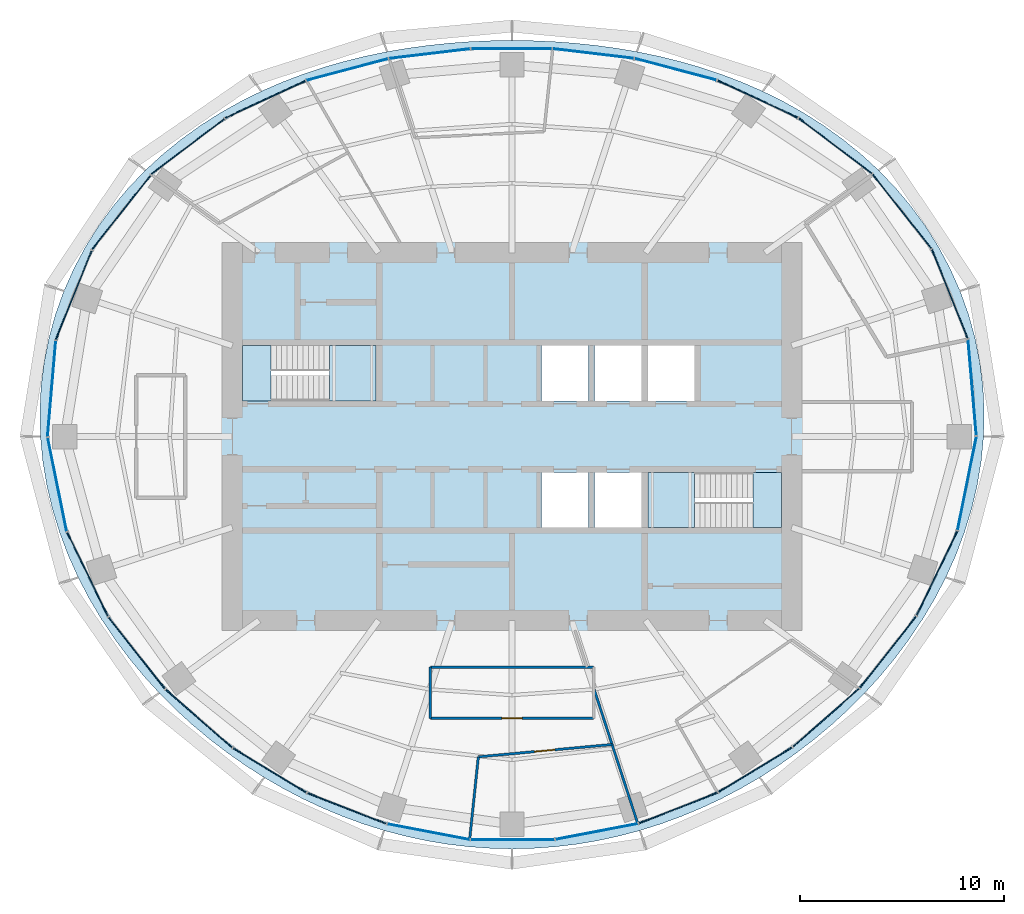
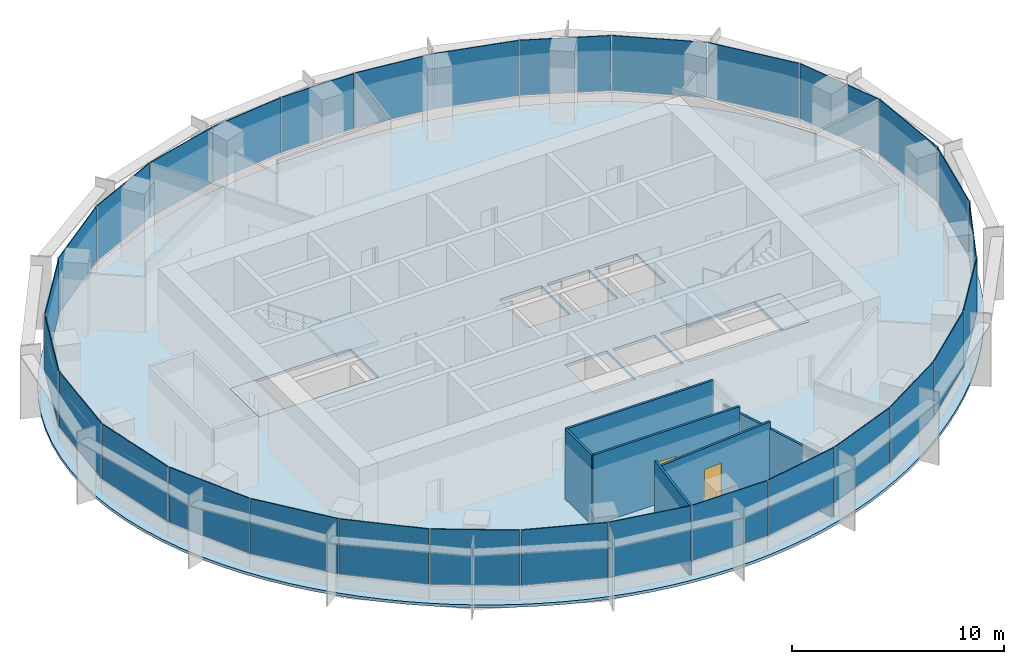
# One storey, part 8 of 13: 30 plates, 6 walls, 5 slabs, 2 doors, 2 openings, 8 elements without a shape of their own.
"""IFC4 building model written with IfcOpenShell, lengths in metres."""

from ifc_helpers import new_model, si_unit, direction, frame, frame_2d, origin, origin_2d, place, context, subcontext, project, spatial, polyline, rectangle, outline, extrude, material, layer, layer_set, type_object, element, fill, aggregate, save


model = new_model("IFC4")

# Units and contexts
model_context = context("Model", 3, precision=1e-05, world=origin(), true_north=direction((0.0, 1.0)))
body_context = subcontext(model_context, "Body", "Model", "MODEL_VIEW")
ifc_project = project(units=[si_unit("LENGTHUNIT", "METRE"), si_unit("AREAUNIT", "SQUARE_METRE"), si_unit("VOLUMEUNIT", "CUBIC_METRE"), si_unit("PLANEANGLEUNIT", "RADIAN"), si_unit("MASSUNIT", "GRAM", prefix="KILO")], contexts=[model_context])

# Site, building, storey
site_placement = place(None, origin())
site = spatial("IfcSite", under=ifc_project, at=site_placement, CompositionType="ELEMENT")
building_placement = place(site_placement, origin())
building = spatial("IfcBuilding", under=site, at=building_placement, Name="Marramba Exchange Tower", CompositionType="ELEMENT")
storey_placement = place(building_placement, frame((0.0, 0.0, 256.0)))
storey = spatial("IfcBuildingStorey", under=building, at=storey_placement, Name="L62", CompositionType="ELEMENT", Elevation=256.0)

# Slab
ifc_material_1 = material(Name="Concrete N40", Category="concrete")
ifc_layer_1 = layer(ifc_material_1, 0.159912109375)
ifc_layer_set_1 = layer_set([ifc_layer_1], Name="Composite floor slab 160")
slab_type_1 = type_object("IfcSlabType", Name="Composite floor slab 160", PredefinedType="FLOOR", material=ifc_layer_set_1)
slab_1_placement = place(storey_placement, frame((0.0, 0.0, -0.159912109375)))
element("IfcSlab", 1, at=slab_1_placement, inside=storey, type_object=slab_type_1, Name="Floor slab L62", PredefinedType="FLOOR", context=body_context, shape_type="SweptSolid", body=[
    extrude(outline(polyline([(23.10009765625, 0.0), (23.129150390625, 1.212158203125), (23.070068359375, 2.4248046875), (22.921630859375, 3.63037109375), (22.6845703125, 4.82177734375), (22.359619140625, 5.9912109375), (21.94970703125, 7.1318359375), (21.4580078125, 8.237060546875), (20.889404296875, 9.300537109375), (20.248779296875, 10.3173828125), (19.542236328125, 11.28271484375), (18.77587890625, 12.193359375), (17.95654296875, 13.046142578125), (17.090576171875, 13.83984375), (16.18505859375, 14.572998046875), (15.245849609375, 15.245849609375), (14.279541015625, 15.85888671875), (13.291259765625, 16.413330078125), (12.28662109375, 16.9111328125), (11.270263671875, 17.3544921875), (10.24560546875, 17.745849609375), (9.21630859375, 18.088134765625), (8.185302734375, 18.38427734375), (7.154296875, 18.63720703125), (6.124755859375, 18.849853515625), (5.09765625, 19.024658203125), (4.073486328125, 19.1640625), (3.05224609375, 19.2705078125), (2.033203125, 19.344970703125), (1.01611328125, 19.389404296875), (0.0, 19.404052734375), (-1.01611328125, 19.389404296875), (-2.033203125, 19.344970703125), (-3.05224609375, 19.2705078125), (-4.073486328125, 19.1640625), (-5.09765625, 19.024658203125), (-6.124755859375, 18.849853515625), (-7.154296875, 18.63720703125), (-8.185302734375, 18.38427734375), (-9.21630859375, 18.088134765625), (-10.24560546875, 17.745849609375), (-11.270263671875, 17.3544921875), (-12.28662109375, 16.9111328125), (-13.291259765625, 16.413330078125), (-14.279541015625, 15.85888671875), (-15.245849609375, 15.245849609375), (-16.18505859375, 14.572998046875), (-17.090576171875, 13.83984375), (-17.95654296875, 13.046142578125), (-18.77587890625, 12.193359375), (-19.542236328125, 11.28271484375), (-20.248779296875, 10.3173828125), (-20.889404296875, 9.300537109375), (-21.4580078125, 8.237060546875), (-21.94970703125, 7.1318359375), (-22.359619140625, 5.9912109375), (-22.6845703125, 4.82177734375), (-22.921630859375, 3.63037109375), (-23.070068359375, 2.4248046875), (-23.129150390625, 1.212158203125), (-23.10009765625, 0.0), (-22.98486328125, -1.20458984375), (-22.78662109375, -2.39501953125), (-22.50927734375, -3.565185546875), (-22.1572265625, -4.709716796875), (-21.736083984375, -5.82421875), (-21.250732421875, -6.90478515625), (-20.706787109375, -7.948486328125), (-20.109619140625, -8.953369140625), (-19.46435546875, -9.91748046875), (-18.77587890625, -10.84033203125), (-18.048583984375, -11.720947265625), (-17.2861328125, -12.55908203125), (-16.4921875, -13.355224609375), (-15.669677734375, -14.10888671875), (-14.820556640625, -14.820556640625), (-13.947509765625, -15.490478515625), (-13.05224609375, -16.1181640625), (-12.1357421875, -16.703369140625), (-11.199951171875, -17.246337890625), (-10.24560546875, -17.745849609375), (-9.274169921875, -18.20166015625), (-8.287109375, -18.613037109375), (-7.285400390625, -18.978759765625), (-6.2705078125, -19.29833984375), (-5.243896484375, -19.570556640625), (-4.20751953125, -19.79443359375), (-3.162841796875, -19.9697265625), (-2.112060546875, -20.09521484375), (-1.05712890625, -20.1708984375), (0.0, -20.196044921875), (1.05712890625, -20.1708984375), (2.112060546875, -20.09521484375), (3.162841796875, -19.9697265625), (4.20751953125, -19.79443359375), (5.243896484375, -19.570556640625), (6.2705078125, -19.29833984375), (7.285400390625, -18.978759765625), (8.287109375, -18.613037109375), (9.274169921875, -18.20166015625), (10.24560546875, -17.745849609375), (11.199951171875, -17.246337890625), (12.1357421875, -16.703369140625), (13.05224609375, -16.1181640625), (13.947509765625, -15.490478515625), (14.820556640625, -14.820556640625), (15.669677734375, -14.10888671875), (16.4921875, -13.355224609375), (17.2861328125, -12.55908203125), (18.048583984375, -11.720947265625), (18.77587890625, -10.84033203125), (19.46435546875, -9.91748046875), (20.109619140625, -8.953369140625), (20.706787109375, -7.948486328125), (21.250732421875, -6.90478515625), (21.736083984375, -5.82421875), (22.1572265625, -4.709716796875), (22.50927734375, -3.565185546875), (22.78662109375, -2.39501953125), (22.98486328125, -1.20458984375), (23.10009765625, 0.0)]), holes=[polyline([(1.449951171875, 1.75), (3.75, 1.75), (3.75, 4.449951171875), (1.449951171875, 4.449951171875), (1.449951171875, 1.75)]), polyline([(4.050048828125, 1.75), (6.35009765625, 1.75), (6.35009765625, 4.449951171875), (4.050048828125, 4.449951171875), (4.050048828125, 1.75)]), polyline([(1.449951171875, -4.449951171875), (3.75, -4.449951171875), (3.75, -1.75), (1.449951171875, -1.75), (1.449951171875, -4.449951171875)]), polyline([(4.050048828125, -4.449951171875), (6.35009765625, -4.449951171875), (6.35009765625, -1.75), (4.050048828125, -1.75), (4.050048828125, -4.449951171875)]), polyline([(6.64990234375, 1.75), (8.949951171875, 1.75), (8.949951171875, 4.449951171875), (6.64990234375, 4.449951171875), (6.64990234375, 1.75)]), polyline([(-13.199951171875, 1.75), (-6.64990234375, 1.75), (-6.64990234375, 4.449951171875), (-13.199951171875, 4.449951171875), (-13.199951171875, 1.75)]), polyline([(6.64990234375, -4.449951171875), (13.199951171875, -4.449951171875), (13.199951171875, -1.75), (6.64990234375, -1.75), (6.64990234375, -4.449951171875)])]), origin(), (0.0, 0.0, 1.0), 0.159912109375),
])

# Curtain wall, plates
ifc_material_2 = material(Name="Aluminium framing, bronze anodised", Category="aluminium")
curtain_wall_type = type_object("IfcCurtainWallType", Name="Executive floor ribbon curtain wall", PredefinedType="USERDEFINED", material=ifc_material_2)
curtain_wall_1_placement = place(storey_placement, origin())
curtain_wall_1 = element("IfcCurtainWall", 2, at=curtain_wall_1_placement, inside=storey, type_object=curtain_wall_type, Name="Curtain wall CW5 L62 F01-F05", ObjectType="RIBBON CURTAIN WALL", PredefinedType="USERDEFINED")
ifc_material_3 = material(Name="Laminated double glazed unit 13.52 + 20 + 13.52, bronze tinted, acoustic interlayer", Category="glass")
ifc_layer_2 = layer(ifc_material_3, 0.047119140625)
ifc_layer_set_2 = layer_set([ifc_layer_2], Name="Executive floor ribbon curtain wall panel")
plate_type = type_object("IfcPlateType", Name="Executive floor ribbon curtain wall panel", PredefinedType="CURTAIN_PANEL", material=ifc_layer_set_2)
plate_1_placement = place(storey_placement, frame((22.54345703125, 2.404296875, 0.85986328125), z_axis=(0.0, 0.0, 1.0), x_axis=(-0.085574009881, 0.996331816632, 0.0)))
plate_1 = element("IfcPlate", 3, at=plate_1_placement, type_object=plate_type, Name="CW5 vision panel", PredefinedType="CURTAIN_PANEL", context=body_context, shape_type="SweptSolid", body=[
    extrude(rectangle(XDim=4.70654296875, YDim=0.047119140625, at=origin_2d()), origin(), (0.0, 0.0, 1.0), 3.179931640625),
])
plate_2_placement = place(storey_placement, frame((21.444580078125, 6.9814453125, 0.85986328125), z_axis=(0.0, 0.0, 1.0), x_axis=(-0.372983090774, 0.927838139977, 0.0)))
plate_2 = element("IfcPlate", 4, at=plate_2_placement, type_object=plate_type, Name="CW5 vision panel", PredefinedType="CURTAIN_PANEL", context=body_context, shape_type="SweptSolid", body=[
    extrude(rectangle(XDim=4.692138671875, YDim=0.047119140625, at=origin_2d()), origin(), (0.0, 0.0, 1.0), 3.179931640625),
])
plate_3_placement = place(storey_placement, frame((19.10302734375, 11.02294921875, 0.85986328125), z_axis=(0.0, 0.0, 1.0), x_axis=(-0.618222857512, 0.786002861604, 0.0)))
plate_3 = element("IfcPlate", 5, at=plate_3_placement, type_object=plate_type, Name="CW5 vision panel", PredefinedType="CURTAIN_PANEL", context=body_context, shape_type="SweptSolid", body=[
    extrude(rectangle(XDim=4.624755859375, YDim=0.047119140625, at=origin_2d()), origin(), (0.0, 0.0, 1.0), 3.179931640625),
])
plate_4_placement = place(storey_placement, frame((15.83544921875, 14.23779296875, 0.85986328125), z_axis=(0.0, 0.0, 1.0), x_axis=(-0.796058900199, 0.605219156516, 0.0)))
plate_4 = element("IfcPlate", 6, at=plate_4_placement, type_object=plate_type, Name="CW5 vision panel", PredefinedType="CURTAIN_PANEL", context=body_context, shape_type="SweptSolid", body=[
    extrude(rectangle(XDim=4.49755859375, YDim=0.047119140625, at=origin_2d()), origin(), (0.0, 0.0, 1.0), 3.179931640625),
])
plate_5_placement = place(storey_placement, frame((12.03076171875, 16.533447265625, 0.85986328125), z_axis=(0.0, 0.0, 1.0), x_axis=(-0.90713057934, 0.420849274712, 0.0)))
plate_5 = element("IfcPlate", 7, at=plate_5_placement, type_object=plate_type, Name="CW5 vision panel", PredefinedType="CURTAIN_PANEL", context=body_context, shape_type="SweptSolid", body=[
    extrude(rectangle(XDim=4.321533203125, YDim=0.047119140625, at=origin_2d()), origin(), (0.0, 0.0, 1.0), 3.179931640625),
])
aggregate(curtain_wall_1, [plate_1, plate_2, plate_3, plate_4, plate_5])

curtain_wall_2_placement = place(storey_placement, origin())
curtain_wall_2 = element("IfcCurtainWall", 8, at=curtain_wall_2_placement, inside=storey, type_object=curtain_wall_type, Name="Curtain wall CW5 L62 F06-F10", ObjectType="RIBBON CURTAIN WALL", PredefinedType="USERDEFINED")
plate_6_placement = place(storey_placement, frame((8.0146484375, 17.987548828125, 0.85986328125), z_axis=(0.0, 0.0, 1.0), x_axis=(-0.966643517501, 0.256125574813, 0.0)))
plate_6 = element("IfcPlate", 9, at=plate_6_placement, type_object=plate_type, Name="CW5 vision panel", PredefinedType="CURTAIN_PANEL", context=body_context, shape_type="SweptSolid", body=[
    extrude(rectangle(XDim=4.134033203125, YDim=0.047119140625, at=origin_2d()), origin(), (0.0, 0.0, 1.0), 3.179931640625),
])
plate_7_placement = place(storey_placement, frame((3.976806640625, 18.760498046875, 0.85986328125), z_axis=(0.0, 0.0, 1.0), x_axis=(-0.992947253654, 0.118556954505, 0.0)))
plate_7 = element("IfcPlate", 10, at=plate_7_placement, type_object=plate_type, Name="CW5 vision panel", PredefinedType="CURTAIN_PANEL", context=body_context, shape_type="SweptSolid", body=[
    extrude(rectangle(XDim=3.988525390625, YDim=0.047119140625, at=origin_2d()), origin(), (0.0, 0.0, 1.0), 3.179931640625),
])
plate_8_placement = place(storey_placement, frame((-0.030029296875, 18.9970703125, 0.85986328125), z_axis=(0.0, 0.0, 1.0), x_axis=(-1.0, 0.0, 0.0)))
plate_8 = element("IfcPlate", 11, at=plate_8_placement, type_object=plate_type, Name="CW5 vision panel", PredefinedType="CURTAIN_PANEL", context=body_context, shape_type="SweptSolid", body=[
    extrude(rectangle(XDim=3.933349609375, YDim=0.047119140625, at=origin_2d()), origin(), (0.0, 0.0, 1.0), 3.179931640625),
])
plate_9_placement = place(storey_placement, frame((-4.036376953125, 18.75341796875, 0.85986328125), z_axis=(0.0, 0.0, 1.0), x_axis=(-0.992947253654, -0.118556954505, 0.0)))
plate_9 = element("IfcPlate", 12, at=plate_9_placement, type_object=plate_type, Name="CW5 vision panel", PredefinedType="CURTAIN_PANEL", context=body_context, shape_type="SweptSolid", body=[
    extrude(rectangle(XDim=3.988525390625, YDim=0.047119140625, at=origin_2d()), origin(), (0.0, 0.0, 1.0), 3.179931640625),
])
plate_10_placement = place(storey_placement, frame((-8.072509765625, 17.97216796875, 0.85986328125), z_axis=(0.0, 0.0, 1.0), x_axis=(-0.966643517501, -0.256125574813, 0.0)))
plate_10 = element("IfcPlate", 13, at=plate_10_placement, type_object=plate_type, Name="CW5 vision panel", PredefinedType="CURTAIN_PANEL", context=body_context, shape_type="SweptSolid", body=[
    extrude(rectangle(XDim=4.134033203125, YDim=0.047119140625, at=origin_2d()), origin(), (0.0, 0.0, 1.0), 3.179931640625),
])
aggregate(curtain_wall_2, [plate_6, plate_7, plate_8, plate_9, plate_10])

curtain_wall_3_placement = place(storey_placement, origin())
curtain_wall_3 = element("IfcCurtainWall", 14, at=curtain_wall_3_placement, inside=storey, type_object=curtain_wall_type, Name="Curtain wall CW5 L62 F11-F15", ObjectType="RIBBON CURTAIN WALL", PredefinedType="USERDEFINED")
plate_11_placement = place(storey_placement, frame((-12.085205078125, 16.50830078125, 0.85986328125), z_axis=(0.0, 0.0, 1.0), x_axis=(-0.90713057934, -0.420849274712, 0.0)))
plate_11 = element("IfcPlate", 15, at=plate_11_placement, type_object=plate_type, Name="CW5 vision panel", PredefinedType="CURTAIN_PANEL", context=body_context, shape_type="SweptSolid", body=[
    extrude(rectangle(XDim=4.321533203125, YDim=0.047119140625, at=origin_2d()), origin(), (0.0, 0.0, 1.0), 3.179931640625),
])
plate_12_placement = place(storey_placement, frame((-15.88330078125, 14.201416015625, 0.85986328125), z_axis=(0.0, 0.0, 1.0), x_axis=(-0.796058900199, -0.605219156516, 0.0)))
plate_12 = element("IfcPlate", 16, at=plate_12_placement, type_object=plate_type, Name="CW5 vision panel", PredefinedType="CURTAIN_PANEL", context=body_context, shape_type="SweptSolid", body=[
    extrude(rectangle(XDim=4.49755859375, YDim=0.047119140625, at=origin_2d()), origin(), (0.0, 0.0, 1.0), 3.179931640625),
])
plate_13_placement = place(storey_placement, frame((-19.14013671875, 10.975830078125, 0.85986328125), z_axis=(0.0, 0.0, 1.0), x_axis=(-0.618222857512, -0.786002861604, 0.0)))
plate_13 = element("IfcPlate", 17, at=plate_13_placement, type_object=plate_type, Name="CW5 vision panel", PredefinedType="CURTAIN_PANEL", context=body_context, shape_type="SweptSolid", body=[
    extrude(rectangle(XDim=4.624755859375, YDim=0.047119140625, at=origin_2d()), origin(), (0.0, 0.0, 1.0), 3.179931640625),
])
plate_14_placement = place(storey_placement, frame((-21.467041015625, 6.92578125, 0.85986328125), z_axis=(0.0, 0.0, 1.0), x_axis=(-0.372983090774, -0.927838139977, 0.0)))
plate_14 = element("IfcPlate", 18, at=plate_14_placement, type_object=plate_type, Name="CW5 vision panel", PredefinedType="CURTAIN_PANEL", context=body_context, shape_type="SweptSolid", body=[
    extrude(rectangle(XDim=4.692138671875, YDim=0.047119140625, at=origin_2d()), origin(), (0.0, 0.0, 1.0), 3.179931640625),
])
plate_15_placement = place(storey_placement, frame((-22.548583984375, 2.344482421875, 0.85986328125), z_axis=(0.0, 0.0, 1.0), x_axis=(-0.085574009881, -0.996331816632, 0.0)))
plate_15 = element("IfcPlate", 19, at=plate_15_placement, type_object=plate_type, Name="CW5 vision panel", PredefinedType="CURTAIN_PANEL", context=body_context, shape_type="SweptSolid", body=[
    extrude(rectangle(XDim=4.70654296875, YDim=0.047119140625, at=origin_2d()), origin(), (0.0, 0.0, 1.0), 3.179931640625),
])
aggregate(curtain_wall_3, [plate_11, plate_12, plate_13, plate_14, plate_15])

curtain_wall_4_placement = place(storey_placement, origin())
curtain_wall_4 = element("IfcCurtainWall", 20, at=curtain_wall_4_placement, inside=storey, type_object=curtain_wall_type, Name="Curtain wall CW5 L62 F16-F20", ObjectType="RIBBON CURTAIN WALL", PredefinedType="USERDEFINED")
plate_16_placement = place(storey_placement, frame((-22.276611328125, -2.347900390625, 0.85986328125), z_axis=(0.0, 0.0, 1.0), x_axis=(0.19767053089, -0.980268514856, 0.0)))
plate_16 = element("IfcPlate", 21, at=plate_16_placement, type_object=plate_type, Name="CW5 vision panel", PredefinedType="CURTAIN_PANEL", context=body_context, shape_type="SweptSolid", body=[
    extrude(rectangle(XDim=4.670166015625, YDim=0.047119140625, at=origin_2d()), origin(), (0.0, 0.0, 1.0), 3.179931640625),
])
plate_17_placement = place(storey_placement, frame((-20.789306640625, -6.7509765625, 0.85986328125), z_axis=(0.0, 0.0, 1.0), x_axis=(0.436514585945, -0.89969718031, 0.0)))
plate_17 = element("IfcPlate", 22, at=plate_17_placement, type_object=plate_type, Name="CW5 vision panel", PredefinedType="CURTAIN_PANEL", context=body_context, shape_type="SweptSolid", body=[
    extrude(rectangle(XDim=4.579345703125, YDim=0.047119140625, at=origin_2d()), origin(), (0.0, 0.0, 1.0), 3.179931640625),
])
plate_18_placement = place(storey_placement, frame((-18.3779296875, -10.605712890625, 0.85986328125), z_axis=(0.0, 0.0, 1.0), x_axis=(0.618290634763, -0.78594954734, 0.0)))
plate_18 = element("IfcPlate", 23, at=plate_18_placement, type_object=plate_type, Name="CW5 vision panel", PredefinedType="CURTAIN_PANEL", context=body_context, shape_type="SweptSolid", body=[
    extrude(rectangle(XDim=4.447265625, YDim=0.047119140625, at=origin_2d()), origin(), (0.0, 0.0, 1.0), 3.179931640625),
])
plate_19_placement = place(storey_placement, frame((-15.335693359375, -13.8115234375, 0.85986328125), z_axis=(0.0, 0.0, 1.0), x_axis=(0.752751050569, -0.658305290779, 0.0)))
plate_19 = element("IfcPlate", 24, at=plate_19_placement, type_object=plate_type, Name="CW5 vision panel", PredefinedType="CURTAIN_PANEL", context=body_context, shape_type="SweptSolid", body=[
    extrude(rectangle(XDim=4.31005859375, YDim=0.047119140625, at=origin_2d()), origin(), (0.0, 0.0, 1.0), 3.179931640625),
])
plate_20_placement = place(storey_placement, frame((-11.866455078125, -16.35205078125, 0.85986328125), z_axis=(0.0, 0.0, 1.0), x_axis=(0.854704329539, -0.519115121209, 0.0)))
plate_20 = element("IfcPlate", 25, at=plate_20_placement, type_object=plate_type, Name="CW5 vision panel", PredefinedType="CURTAIN_PANEL", context=body_context, shape_type="SweptSolid", body=[
    extrude(rectangle(XDim=4.2021484375, YDim=0.047119140625, at=origin_2d()), origin(), (0.0, 0.0, 1.0), 3.179931640625),
])
aggregate(curtain_wall_4, [plate_16, plate_17, plate_18, plate_19, plate_20])

curtain_wall_5_placement = place(storey_placement, origin())
curtain_wall_5 = element("IfcCurtainWall", 26, at=curtain_wall_5_placement, inside=storey, type_object=curtain_wall_type, Name="Curtain wall CW5 L62 F21-F25", ObjectType="RIBBON CURTAIN WALL", PredefinedType="USERDEFINED")
plate_21_placement = place(storey_placement, frame((-8.08837890625, -18.215087890625, 0.85986328125), z_axis=(0.0, 0.0, 1.0), x_axis=(0.931785137859, -0.363010271018, 0.0)))
plate_21 = element("IfcPlate", 27, at=plate_21_placement, type_object=plate_type, Name="CW5 vision panel", PredefinedType="CURTAIN_PANEL", context=body_context, shape_type="SweptSolid", body=[
    extrude(rectangle(XDim=4.134521484375, YDim=0.047119140625, at=origin_2d()), origin(), (0.0, 0.0, 1.0), 3.179931640625),
])
plate_22_placement = place(storey_placement, frame((-4.08935546875, -19.36181640625, 0.85986328125), z_axis=(0.0, 0.0, 1.0), x_axis=(0.982193291127, -0.187873198899, 0.0)))
plate_22 = element("IfcPlate", 28, at=plate_22_placement, type_object=plate_type, Name="CW5 vision panel", PredefinedType="CURTAIN_PANEL", context=body_context, shape_type="SweptSolid", body=[
    extrude(rectangle(XDim=4.100830078125, YDim=0.047119140625, at=origin_2d()), origin(), (0.0, 0.0, 1.0), 3.179931640625),
])
plate_23_placement = place(storey_placement, frame((0.030029296875, -19.7470703125, 0.85986328125), z_axis=(0.0, 0.0, 1.0), x_axis=(1.0, 0.0, 0.0)))
plate_23 = element("IfcPlate", 29, at=plate_23_placement, type_object=plate_type, Name="CW5 vision panel", PredefinedType="CURTAIN_PANEL", context=body_context, shape_type="SweptSolid", body=[
    extrude(rectangle(XDim=4.091064453125, YDim=0.047119140625, at=origin_2d()), origin(), (0.0, 0.0, 1.0), 3.179931640625),
])
plate_24_placement = place(storey_placement, frame((4.1484375, -19.3505859375, 0.85986328125), z_axis=(0.0, 0.0, 1.0), x_axis=(0.982193291127, 0.187873198899, 0.0)))
plate_24 = element("IfcPlate", 30, at=plate_24_placement, type_object=plate_type, Name="CW5 vision panel", PredefinedType="CURTAIN_PANEL", context=body_context, shape_type="SweptSolid", body=[
    extrude(rectangle(XDim=4.100830078125, YDim=0.047119140625, at=origin_2d()), origin(), (0.0, 0.0, 1.0), 3.179931640625),
])
plate_25_placement = place(storey_placement, frame((8.144287109375, -18.193115234375, 0.85986328125), z_axis=(0.0, 0.0, 1.0), x_axis=(0.931785137859, 0.363010271018, 0.0)))
plate_25 = element("IfcPlate", 31, at=plate_25_placement, type_object=plate_type, Name="CW5 vision panel", PredefinedType="CURTAIN_PANEL", context=body_context, shape_type="SweptSolid", body=[
    extrude(rectangle(XDim=4.134521484375, YDim=0.047119140625, at=origin_2d()), origin(), (0.0, 0.0, 1.0), 3.179931640625),
])
aggregate(curtain_wall_5, [plate_21, plate_22, plate_23, plate_24, plate_25])

curtain_wall_6_placement = place(storey_placement, origin())
curtain_wall_6 = element("IfcCurtainWall", 32, at=curtain_wall_6_placement, inside=storey, type_object=curtain_wall_type, Name="Curtain wall CW5 L62 F26-F30", ObjectType="RIBBON CURTAIN WALL", PredefinedType="USERDEFINED")
plate_26_placement = place(storey_placement, frame((11.917724609375, -16.321044921875, 0.85986328125), z_axis=(0.0, 0.0, 1.0), x_axis=(0.854704329539, 0.519115121209, 0.0)))
plate_26 = element("IfcPlate", 33, at=plate_26_placement, type_object=plate_type, Name="CW5 vision panel", PredefinedType="CURTAIN_PANEL", context=body_context, shape_type="SweptSolid", body=[
    extrude(rectangle(XDim=4.2021484375, YDim=0.047119140625, at=origin_2d()), origin(), (0.0, 0.0, 1.0), 3.179931640625),
])
plate_27_placement = place(storey_placement, frame((15.380859375, -13.772216796875, 0.85986328125), z_axis=(0.0, 0.0, 1.0), x_axis=(0.752751050569, 0.658305290779, 0.0)))
plate_27 = element("IfcPlate", 34, at=plate_27_placement, type_object=plate_type, Name="CW5 vision panel", PredefinedType="CURTAIN_PANEL", context=body_context, shape_type="SweptSolid", body=[
    extrude(rectangle(XDim=4.31005859375, YDim=0.047119140625, at=origin_2d()), origin(), (0.0, 0.0, 1.0), 3.179931640625),
])
plate_28_placement = place(storey_placement, frame((18.4150390625, -10.55859375, 0.85986328125), z_axis=(0.0, 0.0, 1.0), x_axis=(0.618290634763, 0.78594954734, 0.0)))
plate_28 = element("IfcPlate", 35, at=plate_28_placement, type_object=plate_type, Name="CW5 vision panel", PredefinedType="CURTAIN_PANEL", context=body_context, shape_type="SweptSolid", body=[
    extrude(rectangle(XDim=4.447265625, YDim=0.047119140625, at=origin_2d()), origin(), (0.0, 0.0, 1.0), 3.179931640625),
])
plate_29_placement = place(storey_placement, frame((20.8154296875, -6.697021484375, 0.85986328125), z_axis=(0.0, 0.0, 1.0), x_axis=(0.436514585945, 0.89969718031, 0.0)))
plate_29 = element("IfcPlate", 36, at=plate_29_placement, type_object=plate_type, Name="CW5 vision panel", PredefinedType="CURTAIN_PANEL", context=body_context, shape_type="SweptSolid", body=[
    extrude(rectangle(XDim=4.579345703125, YDim=0.047119140625, at=origin_2d()), origin(), (0.0, 0.0, 1.0), 3.179931640625),
])
plate_30_placement = place(storey_placement, frame((22.288330078125, -2.2890625, 0.85986328125), z_axis=(0.0, 0.0, 1.0), x_axis=(0.19767053089, 0.980268514856, 0.0)))
plate_30 = element("IfcPlate", 37, at=plate_30_placement, type_object=plate_type, Name="CW5 vision panel", PredefinedType="CURTAIN_PANEL", context=body_context, shape_type="SweptSolid", body=[
    extrude(rectangle(XDim=4.670166015625, YDim=0.047119140625, at=origin_2d()), origin(), (0.0, 0.0, 1.0), 3.179931640625),
])
aggregate(curtain_wall_6, [plate_26, plate_27, plate_28, plate_29, plate_30])

# Stair, slabs
ifc_material_4 = material(Name="Concrete N40 (40 MPa)", Category="concrete")
stair_type_1 = type_object("IfcStairType", Name="Exit stair ST1 4200 x 1250", PredefinedType="HALF_TURN_STAIR", material=ifc_material_4)
stair_1_placement = place(storey_placement, origin())
stair_1 = element("IfcStair", 38, at=stair_1_placement, inside=storey, type_object=stair_type_1, Name="Exit stair ST1 L62", PredefinedType="HALF_TURN_STAIR")
ifc_layer_3 = layer(ifc_material_4, 0.199951171875)
ifc_layer_set_3 = layer_set([ifc_layer_3], Name="Stair landing 200")
slab_type_2 = type_object("IfcSlabType", Name="Stair landing 200", PredefinedType="LANDING", material=ifc_layer_set_3)
slab_2_placement = place(storey_placement, frame((0.0, 0.0, -0.199951171875)))
slab_2 = element("IfcSlab", 39, at=slab_2_placement, type_object=slab_type_2, Name="ST1 landing 1", PredefinedType="LANDING", context=body_context, shape_type="SweptSolid", body=[
    extrude(outline(polyline([(-13.199951171875, 1.75), (-11.800048828125, 1.75), (-11.800048828125, 4.449951171875), (-13.199951171875, 4.449951171875), (-13.199951171875, 1.75)])), origin(), (0.0, 0.0, 1.0), 0.199951171875),
])
slab_3_placement = place(storey_placement, frame((0.0, 0.0, 1.89990234375)))
slab_3 = element("IfcSlab", 40, at=slab_3_placement, type_object=slab_type_2, Name="ST1 landing 2", PredefinedType="LANDING", context=body_context, shape_type="SweptSolid", body=[
    extrude(outline(polyline([(-8.93994140625, 1.75), (-6.64990234375, 1.75), (-6.64990234375, 4.449951171875), (-8.93994140625, 4.449951171875), (-8.93994140625, 1.75)])), origin(), (0.0, 0.0, 1.0), 0.2001953125),
])
aggregate(stair_1, [slab_2, slab_3])

stair_type_2 = type_object("IfcStairType", Name="Exit stair ST2 4200 x 1250", PredefinedType="HALF_TURN_STAIR", material=ifc_material_4)
stair_2_placement = place(storey_placement, origin())
stair_2 = element("IfcStair", 41, at=stair_2_placement, inside=storey, type_object=stair_type_2, Name="Exit stair ST2 L62", PredefinedType="HALF_TURN_STAIR")
slab_4_placement = place(storey_placement, frame((0.0, 0.0, -0.199951171875)))
slab_4 = element("IfcSlab", 42, at=slab_4_placement, type_object=slab_type_2, Name="ST2 landing 1", PredefinedType="LANDING", context=body_context, shape_type="SweptSolid", body=[
    extrude(outline(polyline([(11.800048828125, -4.449951171875), (13.199951171875, -4.449951171875), (13.199951171875, -1.75), (11.800048828125, -1.75), (11.800048828125, -4.449951171875)])), origin(), (0.0, 0.0, 1.0), 0.199951171875),
])
slab_5_placement = place(storey_placement, frame((0.0, 0.0, 1.89990234375)))
slab_5 = element("IfcSlab", 43, at=slab_5_placement, type_object=slab_type_2, Name="ST2 landing 2", PredefinedType="LANDING", context=body_context, shape_type="SweptSolid", body=[
    extrude(outline(polyline([(6.64990234375, -4.449951171875), (8.93994140625, -4.449951171875), (8.93994140625, -1.75), (6.64990234375, -1.75), (6.64990234375, -4.449951171875)])), origin(), (0.0, 0.0, 1.0), 0.2001953125),
])
aggregate(stair_2, [slab_4, slab_5])

# Walls
ifc_material_5 = material(Name="Plasterboard on steel studs", Category="steel")
ifc_layer_4 = layer(ifc_material_5, 0.1201171875)
ifc_layer_set_4 = layer_set([ifc_layer_4], Name="Partition 120")
wall_type = type_object("IfcWallType", Name="Partition 120", PredefinedType="PARTITIONING", material=ifc_layer_set_4)
wall_1_placement = place(storey_placement, frame((-4.0, -11.300048828125, 0.0), z_axis=(0.0, 0.0, 1.0), x_axis=(0.0, -1.0, 0.0)))
element("IfcWall", 44, at=wall_1_placement, inside=storey, type_object=wall_type, Name="Partition L62 02", PredefinedType="PARTITIONING", context=body_context, shape_type="SweptSolid", body=[
    extrude(rectangle(XDim=2.5, YDim=0.1201171875, at=frame_2d((1.25, 0.0))), origin(), (0.0, 0.0, 1.0), 4.0400390625),
])
wall_2_placement = place(storey_placement, frame((-1.64892578125, -15.689453125, 0.0), z_axis=(0.0, 0.0, 1.0), x_axis=(-0.104554517933, -0.994519156568, 0.0)))
element("IfcWall", 45, at=wall_2_placement, inside=storey, type_object=wall_type, Name="Partition L62 03", PredefinedType="PARTITIONING", context=body_context, shape_type="SweptSolid", body=[
    extrude(rectangle(XDim=4.0, YDim=0.1201171875, at=frame_2d((2.0, 0.0))), origin(), (0.0, 0.0, 1.0), 4.0400390625),
])

# Wall, opening, door
wall_3_placement = place(storey_placement, frame((-4.0, -13.800048828125, 0.0), z_axis=(0.0, 0.0, 1.0), x_axis=(1.0, 0.0, 0.0)))
wall_3 = element("IfcWall", 46, at=wall_3_placement, inside=storey, type_object=wall_type, Name="Partition L62 04", PredefinedType="PARTITIONING", context=body_context, shape_type="SweptSolid", body=[
    extrude(rectangle(XDim=8.0, YDim=0.1201171875, at=frame_2d((4.0, 0.0))), origin(), (0.0, 0.0, 1.0), 4.0400390625),
])
opening_1_placement = place(wall_3_placement, frame((3.5, 0.0, 0.0)))
opening_1 = element("IfcOpeningElement", 47, at=opening_1_placement, cuts=wall_3, Name="Opening D9", PredefinedType="OPENING", context=body_context, shape_type="SweptSolid", body=[
    extrude(rectangle(XDim=1.0, YDim=2.39990234375, at=frame_2d((0.5, 1.199951171875))), frame((0.0, 0.070068359375, 0.0), z_axis=(0.0, -1.0, 0.0), x_axis=(1.0, 0.0, 0.0)), (0.0, 0.0, 1.0), 0.14013671875),
])
ifc_material_6 = material(Name="Timber door", Category="wood")
door_type = type_object("IfcDoorType", Name="Room door 1000x2400", OperationType="SINGLE_SWING_LEFT", PredefinedType="DOOR", material=ifc_material_6)
door_1_placement = place(opening_1_placement, origin())
door_1 = element("IfcDoor", 48, at=door_1_placement, inside=storey, type_object=door_type, Name="D9 Pantry L62", OperationType="SINGLE_SWING_RIGHT", OverallHeight=2.39990234375, OverallWidth=1.0, PredefinedType="DOOR", context=body_context, shape_type="SweptSolid", body=[
    extrude(rectangle(XDim=1.0, YDim=2.39990234375, at=frame_2d((0.5, 1.199951171875))), frame((0.0, 0.02490234375, 0.0), z_axis=(0.0, -1.0, 0.0), x_axis=(1.0, 0.0, 0.0)), (0.0, 0.0, 1.0), 0.050048828125),
])
fill(opening_1, door_1)

# Wall
wall_4_placement = place(storey_placement, frame((4.0, -11.300048828125, 0.0), z_axis=(0.0, 0.0, 1.0), x_axis=(-1.0, 0.0, 0.0)))
element("IfcWall", 49, at=wall_4_placement, inside=storey, type_object=wall_type, Name="Partition L62 05", PredefinedType="PARTITIONING", context=body_context, shape_type="SweptSolid", body=[
    extrude(rectangle(XDim=8.0, YDim=0.1201171875, at=frame_2d((4.0, 0.0))), origin(), (0.0, 0.0, 1.0), 4.0400390625),
])

# Wall, opening, door
wall_5_placement = place(storey_placement, frame((4.9013671875, -15.085205078125, 0.0), z_axis=(0.0, 0.0, 1.0), x_axis=(-0.995772164665, -0.091857476986, 0.0)))
wall_5 = element("IfcWall", 50, at=wall_5_placement, inside=storey, type_object=wall_type, Name="Partition L62 06", PredefinedType="PARTITIONING", context=body_context, shape_type="SweptSolid", body=[
    extrude(rectangle(XDim=6.578125, YDim=0.1201171875, at=frame_2d((3.2890625, 0.0))), origin(), (0.0, 0.0, 1.0), 3.636962890625),
])
opening_2_placement = place(wall_5_placement, frame((2.81396484375, 0.0, 0.0)))
opening_2 = element("IfcOpeningElement", 51, at=opening_2_placement, cuts=wall_5, Name="Opening D9", PredefinedType="OPENING", context=body_context, shape_type="SweptSolid", body=[
    extrude(rectangle(XDim=1.0, YDim=2.39990234375, at=frame_2d((0.5, 1.199951171875))), frame((0.0, 0.070068359375, 0.0), z_axis=(0.0, -1.0, 0.0), x_axis=(1.0, 0.0, 0.0)), (0.0, 0.0, 1.0), 0.14013671875),
])
door_2_placement = place(opening_2_placement, origin())
door_2 = element("IfcDoor", 52, at=door_2_placement, inside=storey, type_object=door_type, Name="D9 Executive Office 3 L62", OperationType="SINGLE_SWING_RIGHT", OverallHeight=2.39990234375, OverallWidth=1.0, PredefinedType="DOOR", context=body_context, shape_type="SweptSolid", body=[
    extrude(rectangle(XDim=1.0, YDim=2.39990234375, at=frame_2d((0.5, 1.199951171875))), frame((0.0, 0.02490234375, 0.0), z_axis=(0.0, -1.0, 0.0), x_axis=(1.0, 0.0, 0.0)), (0.0, 0.0, 1.0), 0.050048828125),
])
fill(opening_2, door_2)

# Wall
wall_6_placement = place(storey_placement, frame((6.137451171875, -18.889404296875, 0.0), z_axis=(0.0, 0.0, 1.0), x_axis=(-0.309007859613, 0.951059484311, 0.0)))
element("IfcWall", 53, at=wall_6_placement, inside=storey, type_object=wall_type, Name="Partition L62 08", PredefinedType="PARTITIONING", context=body_context, shape_type="SweptSolid", body=[
    extrude(rectangle(XDim=6.917236328125, YDim=0.1201171875, at=frame_2d((3.45849609375, 0.0))), origin(), (0.0, 0.0, 1.0), 3.239990234375),
])

save(model, "model.ifc")
